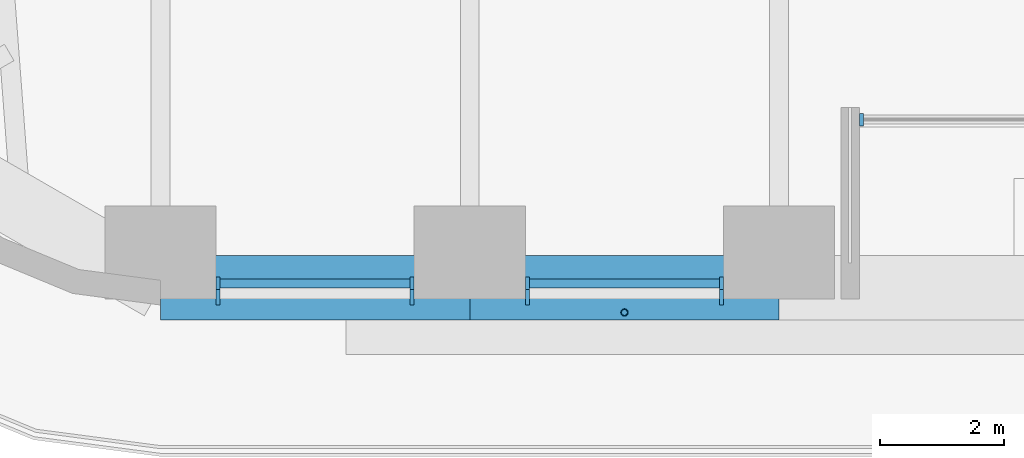
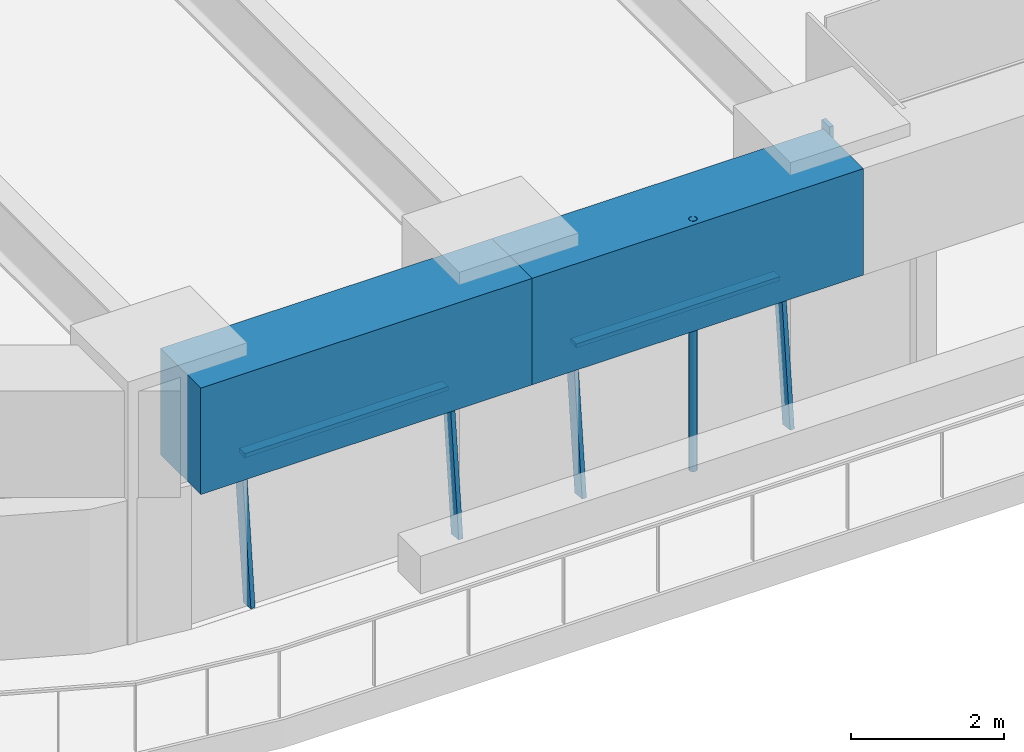
# One storey, part 2 of 24: 8 members, 2 beams, 3 elements without a shape of their own.
"""IFC4 building model written with IfcOpenShell, lengths in metres."""

from ifc_helpers import new_model, si_unit, direction, frame, origin, origin_2d, place, context, subcontext, project, spatial, rectangle, hollow_circle, extrude, material, material_profile, profile_set, type_object, element, aggregate, save


model = new_model("IFC4")

# Units and contexts
model_context = context("Model", 3, precision=1e-05, world=origin(), true_north=direction((0.0, 1.0)))
body_context = subcontext(model_context, "Body", "Model", "MODEL_VIEW")
ifc_project = project(units=[si_unit("LENGTHUNIT", "METRE"), si_unit("AREAUNIT", "SQUARE_METRE"), si_unit("VOLUMEUNIT", "CUBIC_METRE"), si_unit("PLANEANGLEUNIT", "RADIAN"), si_unit("MASSUNIT", "GRAM", prefix="KILO")], contexts=[model_context])

# Site, building, storey
site_placement = place(None, origin())
site = spatial("IfcSite", under=ifc_project, at=site_placement, CompositionType="ELEMENT")
building_placement = place(site_placement, origin())
building = spatial("IfcBuilding", under=site, at=building_placement, Name="Tarfa Lantern Tower", CompositionType="ELEMENT")
storey_placement = place(building_placement, frame((0.0, 0.0, 123.699951171875)))
storey = spatial("IfcBuildingStorey", under=building, at=storey_placement, Name="L27", CompositionType="ELEMENT", Elevation=123.699951171875)

# Curtain wall, members
ifc_material_1 = material(Name="Aluminium framed curtain wall", Category="aluminium")
curtain_wall_type_1 = type_object("IfcCurtainWallType", Name="CW2 CANTED GLAZING MID ZONE 2300", PredefinedType="USERDEFINED", material=ifc_material_1)
curtain_wall_1_placement = place(storey_placement, origin())
curtain_wall_1 = element("IfcCurtainWall", 1, at=curtain_wall_1_placement, inside=storey, type_object=curtain_wall_type_1, Name="CW2 S L27", ObjectType="CURTAIN WALL", PredefinedType="USERDEFINED")
ifc_material_2 = material(Name="Aluminium mullion", Category="aluminium")
ifc_material_profile_1 = material_profile(ifc_material_2, rectangle(XDim=0.06494140625, YDim=0.199951171875, at=origin_2d()), Name="AL MULLION 65x200")
ifc_profile_set_1 = profile_set([ifc_material_profile_1], Name="Aluminium mullion")
member_type_1 = type_object("IfcMemberType", Name="CWM1 MULLION 65x200", PredefinedType="MULLION", material=ifc_profile_set_1)
member_1_placement = place(storey_placement, frame((-14.07861328125, -31.39990234375, 0.0), z_axis=(0.0, 0.108056913548, 0.994144709504), x_axis=(-1.0, 0.0, 0.0)))
member_1 = element("IfcMember", 2, at=member_1_placement, type_object=member_type_1, Name="CW2 mullion 1", PredefinedType="MULLION", context=body_context, shape_type="SweptSolid", body=[
    extrude(rectangle(XDim=0.06494140625, YDim=0.199951171875, at=origin_2d()), origin(), (0.0, 0.0, 1.0), 2.3134765625),
])
member_2_placement = place(storey_placement, frame((-10.93994140625, -31.39990234375, 0.0), z_axis=(0.0, 0.108056913548, 0.994144709504), x_axis=(-1.0, 0.0, 0.0)))
member_2 = element("IfcMember", 3, at=member_2_placement, type_object=member_type_1, Name="CW2 mullion 2", PredefinedType="MULLION", context=body_context, shape_type="SweptSolid", body=[
    extrude(rectangle(XDim=0.06494140625, YDim=0.199951171875, at=origin_2d()), origin(), (0.0, 0.0, 1.0), 2.3134765625),
])

curtain_wall_2_placement = place(storey_placement, origin())
curtain_wall_2 = element("IfcCurtainWall", 4, at=curtain_wall_2_placement, inside=storey, type_object=curtain_wall_type_1, Name="CW2 S L27", ObjectType="CURTAIN WALL", PredefinedType="USERDEFINED")
member_3_placement = place(storey_placement, frame((-9.074951171875, -31.39990234375, 0.0), z_axis=(0.0, 0.108056913548, 0.994144709504), x_axis=(-1.0, 0.0, 0.0)))
member_3 = element("IfcMember", 5, at=member_3_placement, type_object=member_type_1, Name="CW2 mullion 1", PredefinedType="MULLION", context=body_context, shape_type="SweptSolid", body=[
    extrude(rectangle(XDim=0.06494140625, YDim=0.199951171875, at=origin_2d()), origin(), (0.0, 0.0, 1.0), 2.3134765625),
])
member_4_placement = place(storey_placement, frame((-5.936279296875, -31.39990234375, 0.0), z_axis=(0.0, 0.108056913548, 0.994144709504), x_axis=(-1.0, 0.0, 0.0)))
member_4 = element("IfcMember", 6, at=member_4_placement, type_object=member_type_1, Name="CW2 mullion 2", PredefinedType="MULLION", context=body_context, shape_type="SweptSolid", body=[
    extrude(rectangle(XDim=0.06494140625, YDim=0.199951171875, at=origin_2d()), origin(), (0.0, 0.0, 1.0), 2.3134765625),
])

# Curtain wall, member
curtain_wall_type_2 = type_object("IfcCurtainWallType", Name="CW10 LOGGIA GLAZING 2300", PredefinedType="USERDEFINED", material=ifc_material_1)
curtain_wall_3_placement = place(storey_placement, origin())
curtain_wall_3 = element("IfcCurtainWall", 7, at=curtain_wall_3_placement, inside=storey, type_object=curtain_wall_type_2, Name="CW10 SL L27", ObjectType="CURTAIN WALL", PredefinedType="USERDEFINED")
member_5_placement = place(storey_placement, frame((-3.671142578125, -28.5, 0.0), z_axis=(0.0, 0.0, 1.0), x_axis=(1.0, 0.0, 0.0)))
member_5 = element("IfcMember", 8, at=member_5_placement, type_object=member_type_1, Name="CW10 mullion 1", PredefinedType="MULLION", context=body_context, shape_type="SweptSolid", body=[
    extrude(rectangle(XDim=0.06494140625, YDim=0.199951171875, at=origin_2d()), origin(), (0.0, 0.0, 1.0), 2.300048828125),
])
aggregate(curtain_wall_3, [member_5])

# Member
ifc_material_3 = material(Name="Aluminium transom", Category="aluminium")
ifc_material_profile_2 = material_profile(ifc_material_3, rectangle(XDim=0.14990234375, YDim=0.06494140625, at=origin_2d()), Name="AL TRANSOM 150x65")
ifc_profile_set_2 = profile_set([ifc_material_profile_2], Name="Aluminium transom")
member_type_2 = type_object("IfcMemberType", Name="CWT1 TRANSOM 150x65", PredefinedType="USERDEFINED", material=ifc_profile_set_2)
member_6_placement = place(storey_placement, frame((-14.046142578125, -31.153564453125, 2.267578125), z_axis=(1.0, 0.0, 0.0), x_axis=(0.0, 1.0, 0.0)))
member_6 = element("IfcMember", 9, at=member_6_placement, type_object=member_type_2, Name="CW2 transom 1.2", ObjectType="TRANSOM", PredefinedType="USERDEFINED", context=body_context, shape_type="SweptSolid", body=[
    extrude(rectangle(XDim=0.14990234375, YDim=0.06494140625, at=origin_2d()), origin(), (0.0, 0.0, 1.0), 3.07373046875),
])

aggregate(curtain_wall_1, [member_1, member_2, member_6])

member_7_placement = place(storey_placement, frame((-9.04248046875, -31.153564453125, 2.267578125), z_axis=(1.0, 0.0, 0.0), x_axis=(0.0, 1.0, 0.0)))
member_7 = element("IfcMember", 10, at=member_7_placement, type_object=member_type_2, Name="CW2 transom 1.2", ObjectType="TRANSOM", PredefinedType="USERDEFINED", context=body_context, shape_type="SweptSolid", body=[
    extrude(rectangle(XDim=0.14990234375, YDim=0.06494140625, at=origin_2d()), origin(), (0.0, 0.0, 1.0), 3.07373046875),
])

aggregate(curtain_wall_2, [member_3, member_4, member_7])

# Beams
ifc_material_4 = material(Name="Concrete C80/95", Category="concrete")
ifc_material_profile_3 = material_profile(ifc_material_4, rectangle(XDim=1.050048828125, YDim=1.699951171875, at=origin_2d()), Name="RC 1050x1700")
ifc_profile_set_3 = profile_set([ifc_material_profile_3], Name="Concrete C80/95")
beam_type = type_object("IfcBeamType", Name="RB2 RC 1050x1700", PredefinedType="BEAM", material=ifc_profile_set_3)
for number, where, z_axis, x_axis, name in (
    (11, (-15.010986328125, -31.219970703125, 3.150146484375), (1.0, 0.0, 0.0), (0.0, 1.0, 0.0), "Edge beam S0"),
    (12, (-10.00732421875, -31.219970703125, 3.150146484375), (1.0, 0.0, 0.0), (0.0, 1.0, 0.0), "Edge beam S1"),
):
    element("IfcBeam", number, at=place(storey_placement, frame(where, z_axis=z_axis, x_axis=x_axis)), inside=storey, type_object=beam_type, Name=name, PredefinedType="BEAM", context=body_context, shape_type="SweptSolid", body=[
        extrude(rectangle(XDim=1.050048828125, YDim=1.699951171875, at=origin_2d()), origin(), (0.0, 0.0, 1.0), 5.003662109375),
    ])

# Member
ifc_material_5 = material(Name="Steel S355", Category="steel")
ifc_material_profile_4 = material_profile(ifc_material_5, hollow_circle(Radius=0.05712890625, WallThickness=0.00634765625, at=origin_2d()), Name="CHS114.3x6.3")
ifc_profile_set_4 = profile_set([ifc_material_profile_4], Name="Steel S355")
member_type_3 = type_object("IfcMemberType", Name="TR1 GREEN WALL TRELLIS CHS114.3x6.3", PredefinedType="USERDEFINED", material=ifc_profile_set_4)
member_8_placement = place(storey_placement, frame((-7.505615234375, -31.6201171875, 0.0), z_axis=(0.0, 0.0, 1.0), x_axis=(1.0, 0.0, 0.0)))
element("IfcMember", 13, at=member_8_placement, inside=storey, type_object=member_type_3, Name="Trellis post S 1", ObjectType="TRELLIS", PredefinedType="USERDEFINED", context=body_context, shape_type="SweptSolid", body=[
    extrude(hollow_circle(Radius=0.05712890625, WallThickness=0.00634765625, at=origin_2d()), origin(), (0.0, 0.0, 1.0), 4.0),
])

save(model, "model.ifc")
